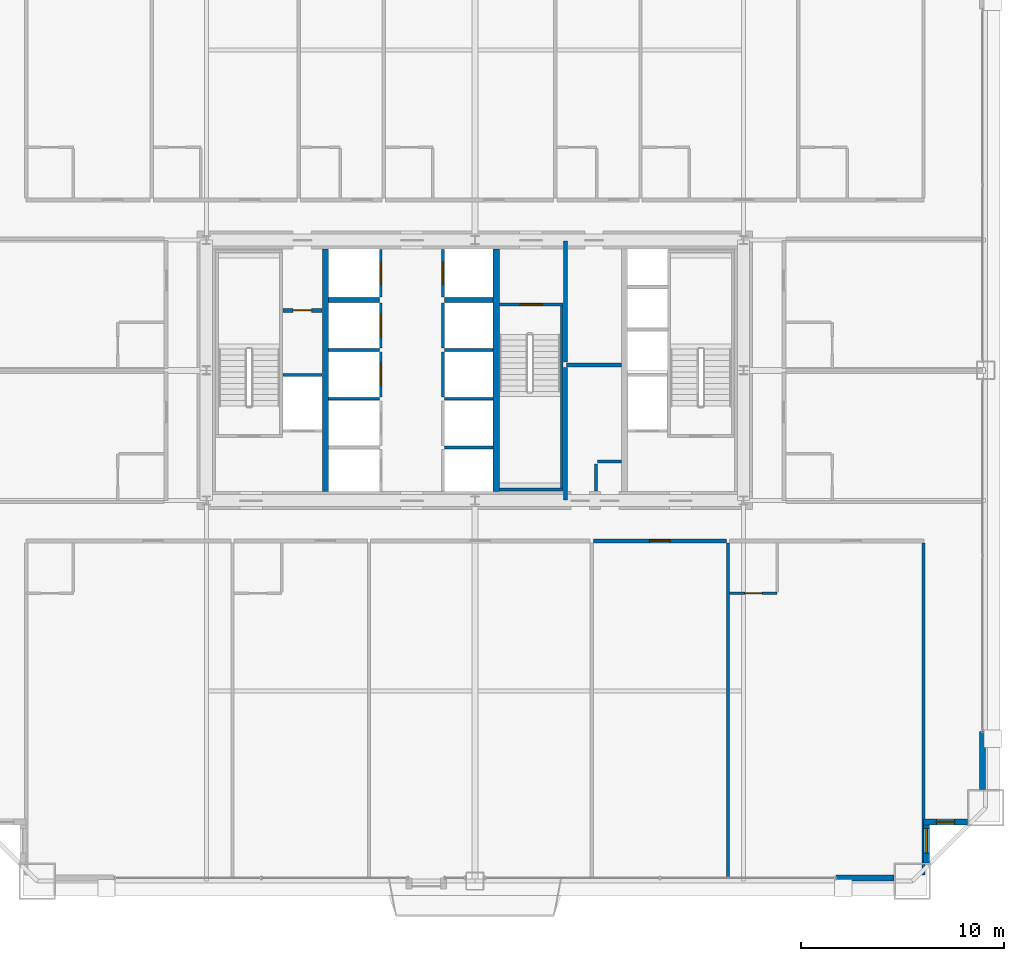
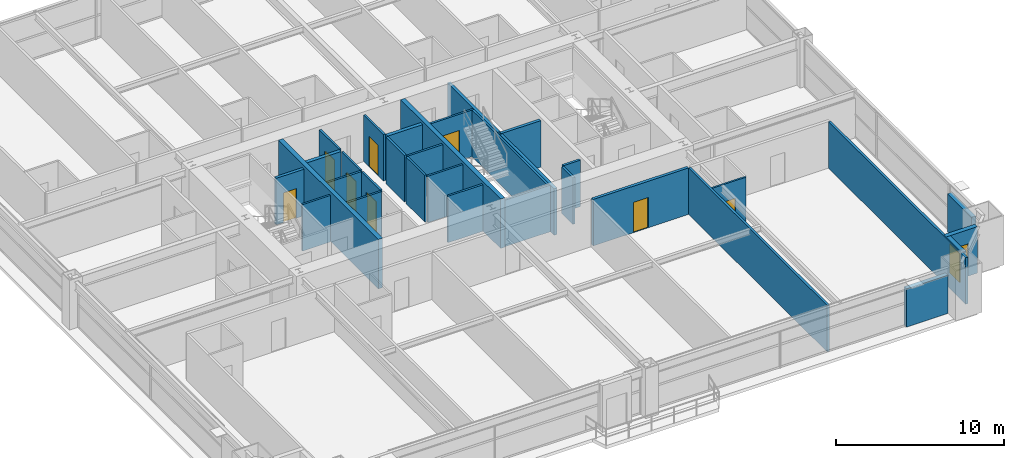
# One storey, part 41 of 45: 33 walls, 8 doors, 2 windows, 10 openings.
"""IFC4 building model written with IfcOpenShell, lengths in metres."""

from ifc_helpers import new_model, si_unit, direction, frame, frame_2d, origin, place, context, subcontext, project, spatial, rectangle, extrude, source, transform, mapped, material, layer, layer_set, type_object, element, fill, save


model = new_model("IFC4")

# Units and contexts
model_context = context("Model", 3, precision=1e-05, world=origin(), true_north=direction((0.0, 1.0)))
body_context = subcontext(model_context, "Body", "Model", "MODEL_VIEW")
ifc_project = project(units=[si_unit("LENGTHUNIT", "METRE"), si_unit("AREAUNIT", "SQUARE_METRE"), si_unit("VOLUMEUNIT", "CUBIC_METRE"), si_unit("PLANEANGLEUNIT", "RADIAN"), si_unit("MASSUNIT", "GRAM", prefix="KILO"), si_unit("THERMODYNAMICTEMPERATUREUNIT", "KELVIN"), si_unit("POWERUNIT", "WATT")], contexts=[model_context])

# Site, building, storey
site_placement = place(None, origin())
site = spatial("IfcSite", under=ifc_project, at=site_placement, CompositionType="ELEMENT")
building_placement = place(site_placement, origin())
building = spatial("IfcBuilding", under=site, at=building_placement, Name="Yuzanri Waterfront Tower", CompositionType="ELEMENT")
storey_placement = place(building_placement, frame((0.0, 0.0, 49.60009765625)))
storey = spatial("IfcBuildingStorey", under=building, at=storey_placement, Name="L12", CompositionType="ELEMENT", Elevation=49.60009765625)

# Wall, opening, door
ifc_material_1 = material(Name="Moisture-Resistant Gypsum Stud Wall", Category="gypsum")
ifc_layer_1 = layer(ifc_material_1, 0.1201171875)
ifc_layer_set_1 = layer_set([ifc_layer_1], Name="Moisture-Resistant Gypsum Stud Wall")
wall_type_1 = type_object("IfcWallType", Name="Bathroom and Kitchen Wet Partition 120", PredefinedType="PARTITIONING", material=ifc_layer_set_1)
wall_1_placement = place(storey_placement, frame((49.52197265625, 14.840087890625, 0.0), z_axis=(0.0, 0.0, 1.0), x_axis=(1.0, 0.0, 0.0)))
wall_1 = element("IfcWall", 1, at=wall_1_placement, inside=storey, type_object=wall_type_1, Name="L12 Partition UW-L12-S5-BS", PredefinedType="PARTITIONING", context=body_context, shape_type="SweptSolid", body=[
    extrude(rectangle(XDim=2.330078125, YDim=0.1201171875, at=frame_2d((1.1650390625, 0.0))), origin(), (0.0, 0.0, 1.0), 3.3798828125),
])
opening_1_placement = place(wall_1_placement, frame((0.739990234375, 0.0, 0.0)))
opening_1 = element("IfcOpeningElement", 2, at=opening_1_placement, cuts=wall_1, Name="Opening ID-0850", PredefinedType="OPENING", context=body_context, shape_type="SweptSolid", body=[
    extrude(rectangle(XDim=0.85009765625, YDim=2.10009765625, at=frame_2d((0.425048828125, 1.050048828125))), frame((0.0, 0.074951171875, 0.0), z_axis=(0.0, -1.0, 0.0), x_axis=(1.0, 0.0, 0.0)), (0.0, 0.0, 1.0), 0.14990234375),
])
ifc_material_2 = material(Name="Moisture-Resistant Lacquered Timber", Category="wood")
door_type_1 = type_object("IfcDoorType", Name="En-Suite Bathroom and Kitchen Swing Door 850x2100", OperationType="NOTDEFINED", PredefinedType="DOOR", material=ifc_material_2)
shared_shape_1 = source(origin(), body_context, "Body", "SweptSolid", [
    extrude(rectangle(XDim=0.85009765625, YDim=2.10009765625, at=frame_2d((0.425048828125, 1.050048828125))), frame((0.0, 0.02490234375, 0.0), z_axis=(0.0, -1.0, 0.0), x_axis=(1.0, 0.0, 0.0)), (0.0, 0.0, 1.0), 0.050048828125),
])
door_1_placement = place(opening_1_placement, origin())
door_1 = element("IfcDoor", 3, at=door_1_placement, inside=storey, type_object=door_type_1, Name="L12 Guest En-Suite Door", OperationType="SINGLE_SWING_RIGHT", OverallHeight=2.10009765625, OverallWidth=0.85009765625, PredefinedType="DOOR", context=body_context, shape_type="MappedRepresentation", body=[
    mapped(shared_shape_1, transform((0.0, 0.0, 0.0), scale=1.0)),
])
fill(opening_1, door_1)

# Wall, opening, window
ifc_material_3 = material(Name="Honed Chongqing Dark Basalt Stone", Category="masonry")
ifc_layer_2 = layer(ifc_material_3, 0.300048828125)
ifc_layer_set_2 = layer_set([ifc_layer_2], Name="Honed Chongqing Dark Basalt Stone")
wall_type_2 = type_object("IfcWallType", Name="Bronze Rainscreen Insulated Spandrel Portal Wall 300", PredefinedType="SOLIDWALL", material=ifc_layer_set_2)
wall_2_placement = place(storey_placement, frame((59.050048828125, 3.60009765625, 0.0), z_axis=(0.0, 0.0, 1.0), x_axis=(1.0, 0.0, 0.0)))
wall_2 = element("IfcWall", 4, at=wall_2_placement, inside=storey, type_object=wall_type_2, Name="L12 Notched Corner Masonry Wall SE-X", PredefinedType="SOLIDWALL", context=body_context, shape_type="SweptSolid", body=[
    extrude(rectangle(XDim=2.14990234375, YDim=0.300048828125, at=frame_2d((1.074951171875, 0.0))), origin(), (0.0, 0.0, 1.0), 3.3798828125),
])
opening_2_placement = place(wall_2_placement, frame((0.625, 0.0, 0.85009765625)))
opening_2 = element("IfcOpeningElement", 5, at=opening_2_placement, cuts=wall_2, Name="Opening WN-05", PredefinedType="OPENING", context=body_context, shape_type="SweptSolid", body=[
    extrude(rectangle(XDim=0.89990234375, YDim=1.5, at=frame_2d((0.449951171875, 0.75))), frame((0.0, 0.1650390625, 0.0), z_axis=(0.0, -1.0, 0.0), x_axis=(1.0, 0.0, 0.0)), (0.0, 0.0, 1.0), 0.329833984375),
])
ifc_material_4 = material(Name="Double-Silver Low-E Insulated Glass", Category="glass")
window_type_1 = type_object("IfcWindowType", Name="Anodized Bronze Service and Stairwell Smoke-Vent Window 900x1500", PartitioningType="SINGLE_PANEL", PredefinedType="WINDOW", material=ifc_material_4)
shared_shape_2 = source(origin(), body_context, "Body", "SweptSolid", [
    extrude(rectangle(XDim=0.89990234375, YDim=1.5, at=frame_2d((0.449951171875, 0.75))), frame((0.0, 0.030029296875, 0.0), z_axis=(0.0, -1.0, 0.0), x_axis=(1.0, 0.0, 0.0)), (0.0, 0.0, 1.0), 0.06005859375),
])
window_1_placement = place(opening_2_placement, origin())
window_1 = element("IfcWindow", 6, at=window_1_placement, inside=storey, type_object=window_type_1, Name="L12 Notched Corner Window SE-X", OverallHeight=1.5, OverallWidth=0.89990234375, PartitioningType="SINGLE_PANEL", PredefinedType="WINDOW", context=body_context, shape_type="MappedRepresentation", body=[
    mapped(shared_shape_2, transform((0.0, 0.0, 0.0), scale=1.0)),
])
fill(opening_2, window_1)

wall_3_placement = place(storey_placement, frame((59.199951171875, 1.60009765625, 0.0), z_axis=(0.0, 0.0, 1.0), x_axis=(0.0, 1.0, 0.0)))
wall_3 = element("IfcWall", 7, at=wall_3_placement, inside=storey, type_object=wall_type_2, Name="L12 Notched Corner Masonry Wall SE-Y", PredefinedType="SOLIDWALL", context=body_context, shape_type="SweptSolid", body=[
    extrude(rectangle(XDim=2.14990234375, YDim=0.300048828125, at=frame_2d((1.074951171875, 0.0))), origin(), (0.0, 0.0, 1.0), 3.3798828125),
])
opening_3_placement = place(wall_3_placement, frame((0.47509765625, 0.0, 0.85009765625)))
opening_3 = element("IfcOpeningElement", 8, at=opening_3_placement, cuts=wall_3, Name="Opening WN-02", PredefinedType="OPENING", context=body_context, shape_type="SweptSolid", body=[
    extrude(rectangle(XDim=1.199951171875, YDim=2.10009765625, at=frame_2d((0.60009765625, 1.050048828125))), frame((0.0, 0.1650390625, 0.0), z_axis=(0.0, -1.0, 0.0), x_axis=(1.0, 0.0, 0.0)), (0.0, 0.0, 1.0), 0.329833984375),
])
ifc_material_5 = material(Name="Double-Silver Low-E Insulated Glass", Category="glass")
window_type_2 = type_object("IfcWindowType", Name="Anodized Bronze Notched Corner Deep-Set Slot Window 1200x2100", PartitioningType="SINGLE_PANEL", PredefinedType="WINDOW", material=ifc_material_5)
shared_shape_3 = source(origin(), body_context, "Body", "SweptSolid", [
    extrude(rectangle(XDim=1.199951171875, YDim=2.10009765625, at=frame_2d((0.60009765625, 1.050048828125))), frame((0.0, 0.030029296875, 0.0), z_axis=(0.0, -1.0, 0.0), x_axis=(1.0, 0.0, 0.0)), (0.0, 0.0, 1.0), 0.06005859375),
])
window_2_placement = place(opening_3_placement, origin())
window_2 = element("IfcWindow", 9, at=window_2_placement, inside=storey, type_object=window_type_2, Name="L12 Notched Corner Window SE-Y", OverallHeight=2.10009765625, OverallWidth=1.199951171875, PartitioningType="SINGLE_PANEL", PredefinedType="WINDOW", context=body_context, shape_type="MappedRepresentation", body=[
    mapped(shared_shape_3, transform((0.0, 0.0, 0.0), scale=1.0)),
])
fill(opening_3, window_2)

# Wall, opening, door
ifc_material_6 = material(Name="Concrete C40", Category="concrete")
ifc_layer_3 = layer(ifc_material_6, 0.139892578125)
ifc_layer_set_3 = layer_set([ifc_layer_3], Name="Concrete C40")
wall_type_3 = type_object("IfcWallType", Name="Core Stair Liner and Hoistway Shaft Wall 140", PredefinedType="SOLIDWALL", material=ifc_layer_set_3)
wall_4_placement = place(storey_placement, frame((32.3701171875, 24.5, 0.0), z_axis=(0.0, 0.0, 1.0), x_axis=(0.0, 1.0, 0.0)))
wall_4 = element("IfcWall", 10, at=wall_4_placement, inside=storey, type_object=wall_type_3, Name="L12 Lift PL-03 Front Shaft Wall", PredefinedType="SOLIDWALL", context=body_context, shape_type="SweptSolid", body=[
    extrude(rectangle(XDim=2.199951171875, YDim=0.139892578125, at=frame_2d((1.10009765625, 0.0))), origin(), (0.0, 0.0, 1.0), 3.3798828125),
])
opening_4_placement = place(wall_4_placement, frame((0.550048828125, 0.0, 0.0)))
opening_4 = element("IfcOpeningElement", 11, at=opening_4_placement, cuts=wall_4, Name="Opening LD-PL-03", PredefinedType="OPENING", context=body_context, shape_type="SweptSolid", body=[
    extrude(rectangle(XDim=1.10009765625, YDim=2.199951171875, at=frame_2d((0.550048828125, 1.10009765625))), frame((0.0, 0.0849609375, 0.0), z_axis=(0.0, -1.0, 0.0), x_axis=(1.0, 0.0, 0.0)), (0.0, 0.0, 1.0), 0.169677734375),
])
ifc_material_7 = material(Name="Brushed Bronze and Stainless Steel Cab", Category="steel")
door_type_2 = type_object("IfcDoorType", Name="Center-Parting Bronze Lift Landing Sliding Door 1100x2200", OperationType="NOTDEFINED", PredefinedType="DOOR", material=ifc_material_7)
shared_shape_4 = source(origin(), body_context, "Body", "SweptSolid", [
    extrude(rectangle(XDim=1.10009765625, YDim=2.199951171875, at=frame_2d((0.550048828125, 1.10009765625))), frame((0.0, 0.02490234375, 0.0), z_axis=(0.0, -1.0, 0.0), x_axis=(1.0, 0.0, 0.0)), (0.0, 0.0, 1.0), 0.050048828125),
])
door_2_placement = place(opening_4_placement, origin())
door_2 = element("IfcDoor", 12, at=door_2_placement, inside=storey, type_object=door_type_2, Name="L12 PL-03 Lift Landing Sliding Door", OperationType="SLIDING_TO_LEFT", OverallHeight=2.199951171875, OverallWidth=1.10009765625, PredefinedType="DOOR", context=body_context, shape_type="MappedRepresentation", body=[
    mapped(shared_shape_4, transform((0.0, 0.0, 0.0), scale=1.0)),
])
fill(opening_4, door_2)

wall_5_placement = place(storey_placement, frame((32.3701171875, 26.89990234375, 0.0), z_axis=(0.0, 0.0, 1.0), x_axis=(0.0, 1.0, 0.0)))
wall_5 = element("IfcWall", 13, at=wall_5_placement, inside=storey, type_object=wall_type_3, Name="L12 Lift PL-04 Front Shaft Wall", PredefinedType="SOLIDWALL", context=body_context, shape_type="SweptSolid", body=[
    extrude(rectangle(XDim=2.2001953125, YDim=0.139892578125, at=frame_2d((1.10009765625, 0.0))), origin(), (0.0, 0.0, 1.0), 3.3798828125),
])
opening_5_placement = place(wall_5_placement, frame((0.550048828125, 0.0, 0.0)))
opening_5 = element("IfcOpeningElement", 14, at=opening_5_placement, cuts=wall_5, Name="Opening LD-PL-04", PredefinedType="OPENING", context=body_context, shape_type="SweptSolid", body=[
    extrude(rectangle(XDim=1.10009765625, YDim=2.199951171875, at=frame_2d((0.550048828125, 1.10009765625))), frame((0.0, 0.0849609375, 0.0), z_axis=(0.0, -1.0, 0.0), x_axis=(1.0, 0.0, 0.0)), (0.0, 0.0, 1.0), 0.169677734375),
])
door_3_placement = place(opening_5_placement, origin())
door_3 = element("IfcDoor", 15, at=door_3_placement, inside=storey, type_object=door_type_2, Name="L12 PL-04 Lift Landing Sliding Door", OperationType="SLIDING_TO_RIGHT", OverallHeight=2.199951171875, OverallWidth=1.10009765625, PredefinedType="DOOR", context=body_context, shape_type="MappedRepresentation", body=[
    mapped(shared_shape_4, transform((0.0, 0.0, 0.0), scale=1.0)),
])
fill(opening_5, door_3)

wall_6_placement = place(storey_placement, frame((32.3701171875, 29.39990234375, 0.0), z_axis=(0.0, 0.0, 1.0), x_axis=(0.0, 1.0, 0.0)))
wall_6 = element("IfcWall", 16, at=wall_6_placement, inside=storey, type_object=wall_type_3, Name="L12 Lift SL-01 Front Shaft Wall", PredefinedType="SOLIDWALL", context=body_context, shape_type="SweptSolid", body=[
    extrude(rectangle(XDim=2.340087890625, YDim=0.139892578125, at=frame_2d((1.169921875, 0.0))), origin(), (0.0, 0.0, 1.0), 3.3798828125),
])
opening_6_placement = place(wall_6_placement, frame((0.6201171875, 0.0, 0.0)))
opening_6 = element("IfcOpeningElement", 17, at=opening_6_placement, cuts=wall_6, Name="Opening LD-SL-01", PredefinedType="OPENING", context=body_context, shape_type="SweptSolid", body=[
    extrude(rectangle(XDim=1.10009765625, YDim=2.199951171875, at=frame_2d((0.550048828125, 1.10009765625))), frame((0.0, 0.0849609375, 0.0), z_axis=(0.0, -1.0, 0.0), x_axis=(1.0, 0.0, 0.0)), (0.0, 0.0, 1.0), 0.169677734375),
])
door_4_placement = place(opening_6_placement, origin())
door_4 = element("IfcDoor", 18, at=door_4_placement, inside=storey, type_object=door_type_2, Name="L12 SL-01 Lift Landing Sliding Door", OperationType="SLIDING_TO_LEFT", OverallHeight=2.199951171875, OverallWidth=1.10009765625, PredefinedType="DOOR", context=body_context, shape_type="MappedRepresentation", body=[
    mapped(shared_shape_4, transform((0.0, 0.0, 0.0), scale=1.0)),
])
fill(opening_6, door_4)

wall_7_placement = place(storey_placement, frame((35.429931640625, 29.39990234375, 0.0), z_axis=(0.0, 0.0, 1.0), x_axis=(0.0, 1.0, 0.0)))
wall_7 = element("IfcWall", 19, at=wall_7_placement, inside=storey, type_object=wall_type_3, Name="L12 Lift SL-02 Front Shaft Wall", PredefinedType="SOLIDWALL", context=body_context, shape_type="SweptSolid", body=[
    extrude(rectangle(XDim=2.340087890625, YDim=0.139892578125, at=frame_2d((1.169921875, 0.0))), origin(), (0.0, 0.0, 1.0), 3.3798828125),
])
opening_7_placement = place(wall_7_placement, frame((0.6201171875, 0.0, 0.0)))
opening_7 = element("IfcOpeningElement", 20, at=opening_7_placement, cuts=wall_7, Name="Opening LD-SL-02", PredefinedType="OPENING", context=body_context, shape_type="SweptSolid", body=[
    extrude(rectangle(XDim=1.10009765625, YDim=2.199951171875, at=frame_2d((0.550048828125, 1.10009765625))), frame((0.0, 0.0849609375, 0.0), z_axis=(0.0, -1.0, 0.0), x_axis=(1.0, 0.0, 0.0)), (0.0, 0.0, 1.0), 0.169677734375),
])
door_5_placement = place(opening_7_placement, origin())
door_5 = element("IfcDoor", 21, at=door_5_placement, inside=storey, type_object=door_type_2, Name="L12 SL-02 Lift Landing Sliding Door", OperationType="SLIDING_TO_RIGHT", OverallHeight=2.199951171875, OverallWidth=1.10009765625, PredefinedType="DOOR", context=body_context, shape_type="MappedRepresentation", body=[
    mapped(shared_shape_4, transform((0.0, 0.0, 0.0), scale=1.0)),
])
fill(opening_7, door_5)

wall_8_placement = place(storey_placement, frame((38.199951171875, 29.030029296875, 0.0), z_axis=(0.0, 0.0, 1.0), x_axis=(1.0, 0.0, 0.0)))
wall_8 = element("IfcWall", 22, at=wall_8_placement, inside=storey, type_object=wall_type_3, Name="L12 Shaft Wall STW-L12-ST-03-N", PredefinedType="SOLIDWALL", context=body_context, shape_type="SweptSolid", body=[
    extrude(rectangle(XDim=3.14013671875, YDim=0.139892578125, at=frame_2d((1.570068359375, 0.0))), origin(), (0.0, 0.0, 1.0), 3.3798828125),
])
opening_8_placement = place(wall_8_placement, frame((1.02001953125, 0.0, 0.0)))
opening_8 = element("IfcOpeningElement", 23, at=opening_8_placement, cuts=wall_8, Name="Opening FD-1100", PredefinedType="OPENING", context=body_context, shape_type="SweptSolid", body=[
    extrude(rectangle(XDim=1.10009765625, YDim=2.199951171875, at=frame_2d((0.550048828125, 1.10009765625))), frame((0.0, 0.0849609375, 0.0), z_axis=(0.0, -1.0, 0.0), x_axis=(1.0, 0.0, 0.0)), (0.0, 0.0, 1.0), 0.169677734375),
])
ifc_material_8 = material(Name="Painted Galvanized Fire Steel", Category="steel")
door_type_3 = type_object("IfcDoorType", Name="Smoke-Proof Stair and Lobby Fire Door 1100x2200", OperationType="NOTDEFINED", PredefinedType="DOOR", material=ifc_material_8)
shared_shape_5 = source(origin(), body_context, "Body", "SweptSolid", [
    extrude(rectangle(XDim=1.10009765625, YDim=2.199951171875, at=frame_2d((0.550048828125, 1.10009765625))), frame((0.0, 0.02490234375, 0.0), z_axis=(0.0, -1.0, 0.0), x_axis=(1.0, 0.0, 0.0)), (0.0, 0.0, 1.0), 0.050048828125),
])
door_6_placement = place(opening_8_placement, origin())
door_6 = element("IfcDoor", 24, at=door_6_placement, inside=storey, type_object=door_type_3, Name="L12 Stair ST-03 Fire Door", OperationType="SINGLE_SWING_RIGHT", OverallHeight=2.199951171875, OverallWidth=1.10009765625, PredefinedType="DOOR", context=body_context, shape_type="MappedRepresentation", body=[
    mapped(shared_shape_5, transform((0.0, 0.0, 0.0), scale=1.0)),
])
fill(opening_8, door_6)

ifc_material_9 = material(Name="Autoclaved Aerated Concrete Blockwork", Category="masonry")
ifc_layer_4 = layer(ifc_material_9, 0.199951171875)
ifc_layer_set_4 = layer_set([ifc_layer_4], Name="Autoclaved Aerated Concrete Blockwork")
wall_type_4 = type_object("IfcWallType", Name="Corridor and Unit Party Fire Wall 200", PredefinedType="PARTITIONING", material=ifc_layer_set_4)
wall_9_placement = place(storey_placement, frame((27.56005859375, 28.75, 0.0), z_axis=(0.0, 0.0, 1.0), x_axis=(1.0, 0.0, 0.0)))
wall_9 = element("IfcWall", 25, at=wall_9_placement, inside=storey, type_object=wall_type_4, Name="L12 Partition CRW-L12-ERTR", PredefinedType="PARTITIONING", context=body_context, shape_type="SweptSolid", body=[
    extrude(rectangle(XDim=1.919921875, YDim=0.199951171875, at=frame_2d((0.9599609375, 0.0))), origin(), (0.0, 0.0, 1.0), 3.3798828125),
])
opening_9_placement = place(wall_9_placement, frame((0.510009765625, 0.0, 0.0)))
opening_9 = element("IfcOpeningElement", 26, at=opening_9_placement, cuts=wall_9, Name="Opening FD-0900", PredefinedType="OPENING", context=body_context, shape_type="SweptSolid", body=[
    extrude(rectangle(XDim=0.89990234375, YDim=2.14990234375, at=frame_2d((0.449951171875, 1.074951171875))), frame((0.0, 0.11474609375, 0.0), z_axis=(0.0, -1.0, 0.0), x_axis=(1.0, 0.0, 0.0)), (0.0, 0.0, 1.0), 0.229736328125),
])
ifc_material_10 = material(Name="Painted Galvanized Fire Steel", Category="steel")
door_type_4 = type_object("IfcDoorType", Name="Riser and Service Room Fire Door 900x2150", OperationType="NOTDEFINED", PredefinedType="DOOR", material=ifc_material_10)
shared_shape_6 = source(origin(), body_context, "Body", "SweptSolid", [
    extrude(rectangle(XDim=0.89990234375, YDim=2.14990234375, at=frame_2d((0.449951171875, 1.074951171875))), frame((0.0, 0.02490234375, 0.0), z_axis=(0.0, -1.0, 0.0), x_axis=(1.0, 0.0, 0.0)), (0.0, 0.0, 1.0), 0.050048828125),
])
door_7_placement = place(opening_9_placement, origin())
door_7 = element("IfcDoor", 27, at=door_7_placement, inside=storey, type_object=door_type_4, Name="L12 Electrical Riser Door", OperationType="SINGLE_SWING_LEFT", OverallHeight=2.14990234375, OverallWidth=0.89990234375, PredefinedType="DOOR", context=body_context, shape_type="MappedRepresentation", body=[
    mapped(shared_shape_6, transform((0.0, 0.0, 0.0), scale=1.0)),
])
fill(opening_9, door_7)

wall_10_placement = place(storey_placement, frame((42.81591796875, 17.419921875, 0.0), z_axis=(0.0, 0.0, 1.0), x_axis=(1.0, 0.0, 0.0)))
wall_10 = element("IfcWall", 28, at=wall_10_placement, inside=storey, type_object=wall_type_4, Name="L12 Partition UW-L12-S4-CN", PredefinedType="PARTITIONING", context=body_context, shape_type="SweptSolid", body=[
    extrude(rectangle(XDim=6.546142578125, YDim=0.199951171875, at=frame_2d((3.27294921875, 0.0))), origin(), (0.0, 0.0, 1.0), 3.3798828125),
])
opening_10_placement = place(wall_10_placement, frame((2.77294921875, 0.0, 0.0)))
opening_10 = element("IfcOpeningElement", 29, at=opening_10_placement, cuts=wall_10, Name="Opening FD-1000", PredefinedType="OPENING", context=body_context, shape_type="SweptSolid", body=[
    extrude(rectangle(XDim=1.0, YDim=2.199951171875, at=frame_2d((0.5, 1.10009765625))), frame((0.0, 0.11474609375, 0.0), z_axis=(0.0, -1.0, 0.0), x_axis=(1.0, 0.0, 0.0)), (0.0, 0.0, 1.0), 0.229736328125),
])
ifc_material_11 = material(Name="Engineered Oak Fire-Rated Timber", Category="wood")
door_type_5 = type_object("IfcDoorType", Name="Guestroom and Apartment Entrance Fire Door 1000x2200", OperationType="NOTDEFINED", PredefinedType="DOOR", material=ifc_material_11)
shared_shape_7 = source(origin(), body_context, "Body", "SweptSolid", [
    extrude(rectangle(XDim=1.0, YDim=2.199951171875, at=frame_2d((0.5, 1.10009765625))), frame((0.0, 0.02490234375, 0.0), z_axis=(0.0, -1.0, 0.0), x_axis=(1.0, 0.0, 0.0)), (0.0, 0.0, 1.0), 0.050048828125),
])
door_8_placement = place(opening_10_placement, origin())
door_8 = element("IfcDoor", 30, at=door_8_placement, inside=storey, type_object=door_type_5, Name="L12 Summit Meeting Room Entrance Door", OperationType="SINGLE_SWING_RIGHT", OverallHeight=2.199951171875, OverallWidth=1.0, PredefinedType="DOOR", context=body_context, shape_type="MappedRepresentation", body=[
    mapped(shared_shape_7, transform((0.0, 0.0, 0.0), scale=1.0)),
])
fill(opening_10, door_8)

# Walls
ifc_material_12 = material(Name="Concrete C50", Category="concrete")
ifc_layer_5 = layer(ifc_material_12, 0.300048828125)
ifc_layer_set_5 = layer_set([ifc_layer_5], Name="Concrete C50")
wall_type_5 = type_object("IfcWallType", Name="Concrete C50 Internal Core Shaft Structural Wall 300", PredefinedType="SOLIDWALL", material=ifc_layer_set_5)
shared_shape_8 = source(origin(), body_context, "Body", "SweptSolid", [
    extrude(rectangle(XDim=11.89990234375, YDim=0.300048828125, at=frame_2d((5.949951171875, 0.0))), origin(), (0.0, 0.0, 1.0), 3.599853515625),
])
for number, where, z_axis, x_axis, name in (
    (31, (29.64990234375, 19.85009765625, 0.0), (0.0, 0.0, 1.0), (0.0, 1.0, 0.0), "L12 Core Internal Structural Web Wall 1"),
    (32, (38.050048828125, 19.85009765625, 0.0), (0.0, 0.0, 1.0), (0.0, 1.0, 0.0), "L12 Core Internal Structural Web Wall 2"),
):
    element("IfcWall", number, at=place(storey_placement, frame(where, z_axis=z_axis, x_axis=x_axis)), inside=storey, type_object=wall_type_5, Name=name, PredefinedType="SOLIDWALL", context=body_context, shape_type="MappedRepresentation", body=[
        mapped(shared_shape_8, transform((0.0, 0.0, 0.0), scale=1.0)),
    ])
shared_shape_9 = source(origin(), body_context, "Body", "SweptSolid", [
    extrude(rectangle(XDim=2.85009765625, YDim=0.300048828125, at=frame_2d((1.425048828125, 0.0))), origin(), (0.0, 0.0, 1.0), 2.77490234375),
])
for number, where, z_axis, x_axis, name in (
    (33, (54.75, 0.85009765625, 0.0), (0.0, 0.0, 1.0), (1.0, 0.0, 0.0), "L12 S Right Braced Masonry Shoulder"),
    (34, (61.949951171875, 5.199951171875, 0.0), (0.0, 0.0, 1.0), (0.0, 1.0, 0.0), "L12 E Left Braced Masonry Shoulder"),
):
    element("IfcWall", number, at=place(storey_placement, frame(where, z_axis=z_axis, x_axis=x_axis)), inside=storey, type_object=wall_type_2, Name=name, PredefinedType="SOLIDWALL", context=body_context, shape_type="MappedRepresentation", body=[
        mapped(shared_shape_9, transform((0.0, 0.0, 0.0), scale=1.0)),
    ])
shared_shape_10 = source(origin(), body_context, "Body", "SweptSolid", [
    extrude(rectangle(XDim=1.919921875, YDim=0.139892578125, at=frame_2d((0.9599609375, 0.0))), origin(), (0.0, 0.0, 1.0), 3.3798828125),
])
wall_11_placement = place(storey_placement, frame((27.56005859375, 25.570068359375, 0.0), z_axis=(0.0, 0.0, 1.0), x_axis=(1.0, 0.0, 0.0)))
element("IfcWall", 35, at=wall_11_placement, inside=storey, type_object=wall_type_3, Name="L12 Lift FL-01 Back Shaft Wall", PredefinedType="SOLIDWALL", context=body_context, shape_type="MappedRepresentation", body=[
    mapped(shared_shape_10, transform((0.0, 0.0, 0.0), scale=1.0)),
])
shared_shape_11 = source(origin(), body_context, "Body", "SweptSolid", [
    extrude(rectangle(XDim=2.5, YDim=0.139892578125, at=frame_2d((1.25, 0.0))), origin(), (0.0, 0.0, 1.0), 3.3798828125),
])
for number, where, z_axis, x_axis, name in (
    (36, (29.800048828125, 24.39990234375, 0.0), (0.0, 0.0, 1.0), (1.0, 0.0, 0.0), "L12 Lift PL-02 Divider Wall"),
    (37, (29.800048828125, 26.800048828125, 0.0), (0.0, 0.0, 1.0), (1.0, 0.0, 0.0), "L12 Lift PL-03 Divider Wall"),
):
    element("IfcWall", number, at=place(storey_placement, frame(where, z_axis=z_axis, x_axis=x_axis)), inside=storey, type_object=wall_type_3, Name=name, PredefinedType="SOLIDWALL", context=body_context, shape_type="MappedRepresentation", body=[
        mapped(shared_shape_11, transform((0.0, 0.0, 0.0), scale=1.0)),
    ])
ifc_material_13 = material(Name="Concrete C40", Category="concrete")
ifc_layer_6 = layer(ifc_material_13, 0.25)
ifc_layer_set_6 = layer_set([ifc_layer_6], Name="Concrete C40")
wall_type_6 = type_object("IfcWallType", Name="Smoke-Proof Stair and Lift Shaft Wall 250", PredefinedType="SOLIDWALL", material=ifc_layer_set_6)
shared_shape_12 = source(origin(), body_context, "Body", "SweptSolid", [
    extrude(rectangle(XDim=2.5, YDim=0.25, at=frame_2d((1.25, 0.0))), origin(), (0.0, 0.0, 1.0), 3.3798828125),
])
wall_12_placement = place(storey_placement, frame((29.800048828125, 29.25, 0.0), z_axis=(0.0, 0.0, 1.0), x_axis=(1.0, 0.0, 0.0)))
element("IfcWall", 38, at=wall_12_placement, inside=storey, type_object=wall_type_6, Name="L12 Lift SL-01 South Shaft Wall", PredefinedType="SOLIDWALL", context=body_context, shape_type="MappedRepresentation", body=[
    mapped(shared_shape_12, transform((0.0, 0.0, 0.0), scale=1.0)),
])
shared_shape_13 = source(origin(), body_context, "Body", "SweptSolid", [
    extrude(rectangle(XDim=2.39990234375, YDim=0.139892578125, at=frame_2d((1.199951171875, 0.0))), origin(), (0.0, 0.0, 1.0), 3.3798828125),
])
for number, where, z_axis, x_axis, name in (
    (39, (35.5, 22.0, 0.0), (0.0, 0.0, 1.0), (1.0, 0.0, 0.0), "L12 Lift PL-05 Divider Wall"),
    (40, (35.5, 24.39990234375, 0.0), (0.0, 0.0, 1.0), (1.0, 0.0, 0.0), "L12 Lift PL-06 Divider Wall"),
    (41, (35.5, 26.800048828125, 0.0), (0.0, 0.0, 1.0), (1.0, 0.0, 0.0), "L12 Lift PL-07 Divider Wall"),
):
    element("IfcWall", number, at=place(storey_placement, frame(where, z_axis=z_axis, x_axis=x_axis)), inside=storey, type_object=wall_type_3, Name=name, PredefinedType="SOLIDWALL", context=body_context, shape_type="MappedRepresentation", body=[
        mapped(shared_shape_13, transform((0.0, 0.0, 0.0), scale=1.0)),
    ])
shared_shape_14 = source(origin(), body_context, "Body", "SweptSolid", [
    extrude(rectangle(XDim=2.199951171875, YDim=0.139892578125, at=frame_2d((1.10009765625, 0.0))), origin(), (0.0, 0.0, 1.0), 3.3798828125),
])
wall_13_placement = place(storey_placement, frame((35.429931640625, 24.5, 0.0), z_axis=(0.0, 0.0, 1.0), x_axis=(0.0, 1.0, 0.0)))
element("IfcWall", 42, at=wall_13_placement, inside=storey, type_object=wall_type_3, Name="L12 Lift PL-07 Front Shaft Wall", PredefinedType="SOLIDWALL", context=body_context, shape_type="MappedRepresentation", body=[
    mapped(shared_shape_14, transform((0.0, 0.0, 0.0), scale=1.0)),
])
shared_shape_15 = source(origin(), body_context, "Body", "SweptSolid", [
    extrude(rectangle(XDim=2.2001953125, YDim=0.139892578125, at=frame_2d((1.10009765625, 0.0))), origin(), (0.0, 0.0, 1.0), 3.3798828125),
])
wall_14_placement = place(storey_placement, frame((35.429931640625, 26.89990234375, 0.0), z_axis=(0.0, 0.0, 1.0), x_axis=(0.0, 1.0, 0.0)))
element("IfcWall", 43, at=wall_14_placement, inside=storey, type_object=wall_type_3, Name="L12 Lift PL-08 Front Shaft Wall", PredefinedType="SOLIDWALL", context=body_context, shape_type="MappedRepresentation", body=[
    mapped(shared_shape_15, transform((0.0, 0.0, 0.0), scale=1.0)),
])
shared_shape_16 = source(origin(), body_context, "Body", "SweptSolid", [
    extrude(rectangle(XDim=2.39990234375, YDim=0.25, at=frame_2d((1.199951171875, 0.0))), origin(), (0.0, 0.0, 1.0), 3.3798828125),
])
wall_15_placement = place(storey_placement, frame((35.5, 29.25, 0.0), z_axis=(0.0, 0.0, 1.0), x_axis=(1.0, 0.0, 0.0)))
element("IfcWall", 44, at=wall_15_placement, inside=storey, type_object=wall_type_6, Name="L12 Lift SL-02 South Shaft Wall", PredefinedType="SOLIDWALL", context=body_context, shape_type="MappedRepresentation", body=[
    mapped(shared_shape_16, transform((0.0, 0.0, 0.0), scale=1.0)),
])
shared_shape_17 = source(origin(), body_context, "Body", "SweptSolid", [
    extrude(rectangle(XDim=3.14013671875, YDim=0.139892578125, at=frame_2d((1.570068359375, 0.0))), origin(), (0.0, 0.0, 1.0), 3.3798828125),
])
wall_16_placement = place(storey_placement, frame((38.199951171875, 19.949951171875, 0.0), z_axis=(0.0, 0.0, 1.0), x_axis=(1.0, 0.0, 0.0)))
element("IfcWall", 45, at=wall_16_placement, inside=storey, type_object=wall_type_3, Name="L12 Stair ST-03 South Shaft Wall", PredefinedType="SOLIDWALL", context=body_context, shape_type="MappedRepresentation", body=[
    mapped(shared_shape_17, transform((0.0, 0.0, 0.0), scale=1.0)),
])
shared_shape_18 = source(origin(), body_context, "Body", "SweptSolid", [
    extrude(rectangle(XDim=8.93994140625, YDim=0.139892578125, at=frame_2d((4.469970703125, 0.0))), origin(), (0.0, 0.0, 1.0), 3.3798828125),
])
wall_17_placement = place(storey_placement, frame((41.27001953125, 20.02001953125, 0.0), z_axis=(0.0, 0.0, 1.0), x_axis=(0.0, 1.0, 0.0)))
element("IfcWall", 46, at=wall_17_placement, inside=storey, type_object=wall_type_3, Name="L12 Stair ST-03 East Shaft Wall", PredefinedType="SOLIDWALL", context=body_context, shape_type="MappedRepresentation", body=[
    mapped(shared_shape_18, transform((0.0, 0.0, 0.0), scale=1.0)),
])
ifc_material_14 = material(Name="Gypsum Fireboard Acoustic Stud Wall", Category="gypsum")
ifc_layer_7 = layer(ifc_material_14, 0.159912109375)
ifc_layer_set_7 = layer_set([ifc_layer_7], Name="Gypsum Fireboard Acoustic Stud Wall")
wall_type_7 = type_object("IfcWallType", Name="Acoustic Suite Demising Partition 160", PredefinedType="PARTITIONING", material=ifc_layer_set_7)
shared_shape_19 = source(origin(), body_context, "Body", "SweptSolid", [
    extrude(rectangle(XDim=1.33984375, YDim=0.159912109375, at=frame_2d((0.669921875, 0.0))), origin(), (0.0, 0.0, 1.0), 3.3798828125),
])
wall_18_placement = place(storey_placement, frame((42.949951171875, 19.860107421875, 0.0), z_axis=(0.0, 0.0, 1.0), x_axis=(0.0, 1.0, 0.0)))
element("IfcWall", 47, at=wall_18_placement, inside=storey, type_object=wall_type_7, Name="L12 East Wet Riser West Wall", PredefinedType="PARTITIONING", context=body_context, shape_type="MappedRepresentation", body=[
    mapped(shared_shape_19, transform((0.0, 0.0, 0.0), scale=1.0)),
])
shared_shape_20 = source(origin(), body_context, "Body", "SweptSolid", [
    extrude(rectangle(XDim=1.169921875, YDim=0.159912109375, at=frame_2d((0.5849609375, 0.0))), origin(), (0.0, 0.0, 1.0), 3.3798828125),
])
wall_19_placement = place(storey_placement, frame((43.030029296875, 21.320068359375, 0.0), z_axis=(0.0, 0.0, 1.0), x_axis=(1.0, 0.0, 0.0)))
element("IfcWall", 48, at=wall_19_placement, inside=storey, type_object=wall_type_7, Name="L12 East Wet Riser North Wall", PredefinedType="PARTITIONING", context=body_context, shape_type="MappedRepresentation", body=[
    mapped(shared_shape_20, transform((0.0, 0.0, 0.0), scale=1.0)),
])
shared_shape_21 = source(origin(), body_context, "Body", "SweptSolid", [
    extrude(rectangle(XDim=16.469970703125, YDim=0.159912109375, at=frame_2d((8.23486328125, 0.0))), origin(), (0.0, 0.0, 1.0), 3.3798828125),
])
wall_20_placement = place(storey_placement, frame((49.44189453125, 0.85009765625, 0.0), z_axis=(0.0, 0.0, 1.0), x_axis=(0.0, 1.0, 0.0)))
element("IfcWall", 49, at=wall_20_placement, inside=storey, type_object=wall_type_7, Name="L12-S4 Party Wall", PredefinedType="PARTITIONING", context=body_context, shape_type="MappedRepresentation", body=[
    mapped(shared_shape_21, transform((0.0, 0.0, 0.0), scale=1.0)),
])
shared_shape_22 = source(origin(), body_context, "Body", "SweptSolid", [
    extrude(rectangle(XDim=16.320068359375, YDim=0.159912109375, at=frame_2d((8.16015625, 0.0))), origin(), (0.0, 0.0, 1.0), 3.3798828125),
])
wall_21_placement = place(storey_placement, frame((59.050048828125, 1.0, 0.0), z_axis=(0.0, 0.0, 1.0), x_axis=(0.0, 1.0, 0.0)))
element("IfcWall", 50, at=wall_21_placement, inside=storey, type_object=wall_type_7, Name="L12 South Band East End Wall", PredefinedType="PARTITIONING", context=body_context, shape_type="MappedRepresentation", body=[
    mapped(shared_shape_22, transform((0.0, 0.0, 0.0), scale=1.0)),
])
shared_shape_23 = source(origin(), body_context, "Body", "SweptSolid", [
    extrude(rectangle(XDim=6.510009765625, YDim=0.199951171875, at=frame_2d((3.2548828125, 0.0))), origin(), (0.0, 0.0, 1.0), 3.3798828125),
])
wall_22_placement = place(storey_placement, frame((41.449951171875, 19.43994140625, 0.0), z_axis=(0.0, 0.0, 1.0), x_axis=(0.0, 1.0, 0.0)))
element("IfcWall", 51, at=wall_22_placement, inside=storey, type_object=wall_type_4, Name="L12 Core BOH West Wall 1", PredefinedType="PARTITIONING", context=body_context, shape_type="MappedRepresentation", body=[
    mapped(shared_shape_23, transform((0.0, 0.0, 0.0), scale=1.0)),
])
shared_shape_24 = source(origin(), body_context, "Body", "SweptSolid", [
    extrude(rectangle(XDim=2.699951171875, YDim=0.199951171875, at=frame_2d((1.35009765625, 0.0))), origin(), (0.0, 0.0, 1.0), 3.3798828125),
])
wall_23_placement = place(storey_placement, frame((41.5, 26.070068359375, 0.0), z_axis=(0.0, 0.0, 1.0), x_axis=(1.0, 0.0, 0.0)))
element("IfcWall", 52, at=wall_23_placement, inside=storey, type_object=wall_type_4, Name="L12 Core BOH Split Wall 1", PredefinedType="PARTITIONING", context=body_context, shape_type="MappedRepresentation", body=[
    mapped(shared_shape_24, transform((0.0, 0.0, 0.0), scale=1.0)),
])
shared_shape_25 = source(origin(), body_context, "Body", "SweptSolid", [
    extrude(rectangle(XDim=5.9599609375, YDim=0.199951171875, at=frame_2d((2.97998046875, 0.0))), origin(), (0.0, 0.0, 1.0), 3.3798828125),
])
wall_24_placement = place(storey_placement, frame((41.449951171875, 26.199951171875, 0.0), z_axis=(0.0, 0.0, 1.0), x_axis=(0.0, 1.0, 0.0)))
element("IfcWall", 53, at=wall_24_placement, inside=storey, type_object=wall_type_4, Name="L12 Core BOH West Wall 2", PredefinedType="PARTITIONING", context=body_context, shape_type="MappedRepresentation", body=[
    mapped(shared_shape_25, transform((0.0, 0.0, 0.0), scale=1.0)),
])

save(model, "model.ifc")
